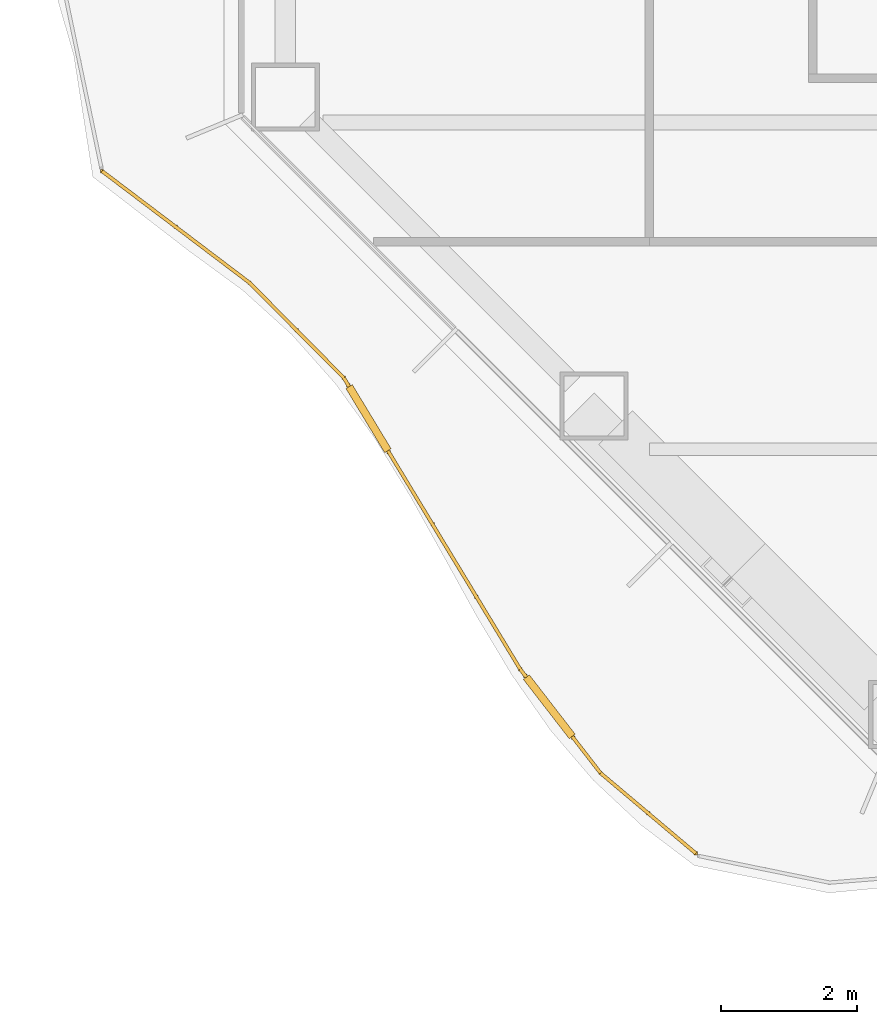
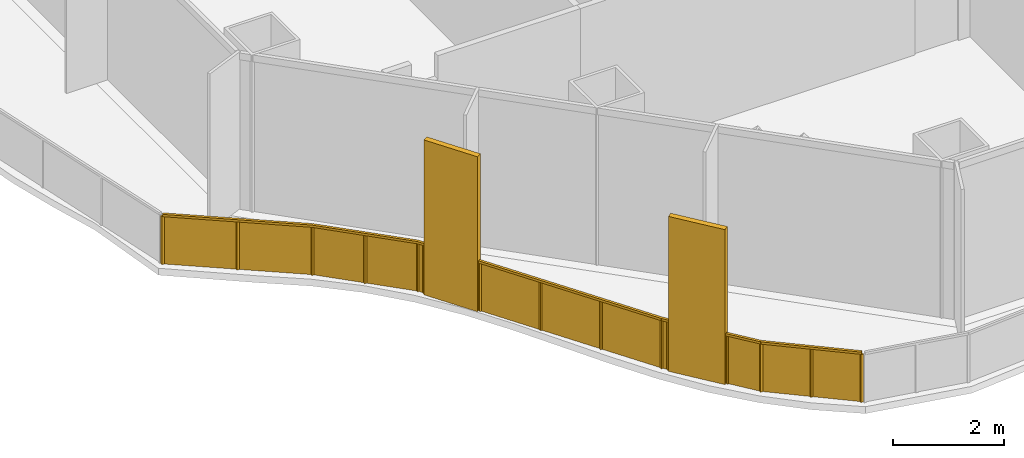
# One storey, part 14 of 20: 1 railing.
"""IFC4 building model written with IfcOpenShell, lengths in metres."""

from ifc_helpers import new_model, si_unit, direction, frame, origin, origin_2d, place, context, subcontext, project, spatial, polyline, rectangle, outline, extrude, material, type_object, element, save


model = new_model("IFC4")

# Units and contexts
model_context = context("Model", 3, precision=1e-05, world=origin(), true_north=direction((0.0, 1.0)))
body_context = subcontext(model_context, "Body", "Model", "MODEL_VIEW")
ifc_project = project(units=[si_unit("LENGTHUNIT", "METRE"), si_unit("AREAUNIT", "SQUARE_METRE"), si_unit("VOLUMEUNIT", "CUBIC_METRE"), si_unit("PLANEANGLEUNIT", "RADIAN"), si_unit("MASSUNIT", "GRAM", prefix="KILO")], contexts=[model_context])

# Site, building, storey
site_placement = place(None, origin())
site = spatial("IfcSite", under=ifc_project, at=site_placement, CompositionType="ELEMENT")
building_placement = place(site_placement, origin())
building = spatial("IfcBuilding", under=site, at=building_placement, Name="Cairn Pilgrim Tower", CompositionType="ELEMENT")
storey_placement = place(building_placement, frame((0.0, 0.0, 61.800048828125)))
storey = spatial("IfcBuildingStorey", under=building, at=storey_placement, Name="L13", CompositionType="ELEMENT", Elevation=61.800048828125)

# Railing
ifc_material = material(Name="Bronze anodised aluminium rail, posts and fin screens with laminated glass infill", Category="aluminium")
railing_type = type_object("IfcRailingType", Name="BALCONY GUARD WITH FIN SCREENS", PredefinedType="GUARDRAIL", material=ifc_material)
railing_placement = place(storey_placement, frame((-30.5927734375, -15.113037109375, 0.0)))
element("IfcRailing", 1, at=railing_placement, inside=storey, type_object=railing_type, Name="Balcony guard BGF-7 with fin screens", PredefinedType="GUARDRAIL", context=body_context, shape_type="SweptSolid", body=[
    extrude(rectangle(XDim=0.050048828125, YDim=0.050048828125, at=origin_2d()), frame((0.0, 0.0, 1.0751953125), z_axis=(0.797297754548, -0.60358619152, 0.0), x_axis=(0.60358619152, 0.797297754548, 0.0)), (0.0, 0.0, 1.0), 2.718505859375),
    extrude(rectangle(XDim=0.050048828125, YDim=0.050048828125, at=origin_2d()), frame((2.16748046875, -1.640869140625, 1.0751953125), z_axis=(0.703998664386, -0.71020129579, 0.0), x_axis=(0.71020129579, 0.703998664386, 0.0)), (0.0, 0.0, 1.0), 1.968017578125),
    extrude(rectangle(XDim=1.10009765625, YDim=0.110107421875, at=origin_2d()), frame((3.91552734375, -3.637451171875, 0.0), z_axis=(0.0, 0.0, 1.0), x_axis=(0.517907951605, -0.855436352784, 0.0)), (0.0, 0.0, 1.0), 3.39990234375),
    extrude(rectangle(XDim=0.050048828125, YDim=0.050048828125, at=origin_2d()), frame((3.552978515625, -3.03857421875, 1.0751953125), z_axis=(0.517907951605, -0.855436352784, 0.0), x_axis=(0.855436352784, 0.517907951605, 0.0)), (0.0, 0.0, 1.0), 0.150146484375),
    extrude(rectangle(XDim=0.050048828125, YDim=0.050048828125, at=origin_2d()), frame((4.200439453125, -4.10791015625, 1.0751953125), z_axis=(0.517907951605, -0.855436352784, 0.0), x_axis=(0.855436352784, 0.517907951605, 0.0)), (0.0, 0.0, 1.0), 3.75244140625),
    extrude(rectangle(XDim=1.10009765625, YDim=0.110107421875, at=origin_2d()), frame((6.572021484375, -7.87158203125, 0.0), z_axis=(0.0, 0.0, 1.0), x_axis=(0.611810946202, -0.791004024078, 0.0)), (0.0, 0.0, 1.0), 3.39990234375),
    extrude(rectangle(XDim=0.050048828125, YDim=0.050048828125, at=origin_2d()), frame((6.143798828125, -7.31787109375, 1.0751953125), z_axis=(0.611810946202, -0.791004024078, 0.0), x_axis=(0.791004024078, 0.611810946202, 0.0)), (0.0, 0.0, 1.0), 0.14990234375),
    extrude(rectangle(XDim=0.050048828125, YDim=0.050048828125, at=origin_2d()), frame((6.908447265625, -8.306640625, 1.0751953125), z_axis=(0.611810946202, -0.791004024078, 0.0), x_axis=(0.791004024078, 0.611810946202, 0.0)), (0.0, 0.0, 1.0), 0.6806640625),
    extrude(rectangle(XDim=0.050048828125, YDim=0.050048828125, at=origin_2d()), frame((7.324951171875, -8.844970703125, 1.0751953125), z_axis=(0.764517172895, -0.644603360485, 0.0), x_axis=(0.644603360485, 0.764517172895, 0.0)), (0.0, 0.0, 1.0), 1.832275390625),
    extrude(rectangle(XDim=0.050048828125, YDim=0.050048828125, at=origin_2d()), origin(), (0.0, 0.0, 1.0), 1.050048828125),
    extrude(rectangle(XDim=0.050048828125, YDim=0.050048828125, at=origin_2d()), frame((1.083740234375, -0.820556640625, 0.0)), (0.0, 0.0, 1.0), 1.050048828125),
    extrude(rectangle(XDim=0.050048828125, YDim=0.050048828125, at=origin_2d()), frame((2.16748046875, -1.640869140625, 0.0)), (0.0, 0.0, 1.0), 1.050048828125),
    extrude(rectangle(XDim=0.050048828125, YDim=0.050048828125, at=origin_2d()), frame((2.8603515625, -2.33984375, 0.0)), (0.0, 0.0, 1.0), 1.050048828125),
    extrude(rectangle(XDim=0.050048828125, YDim=0.050048828125, at=origin_2d()), frame((3.552978515625, -3.03857421875, 0.0)), (0.0, 0.0, 1.0), 1.050048828125),
    extrude(rectangle(XDim=0.050048828125, YDim=0.050048828125, at=origin_2d()), frame((3.61767578125, -3.1455078125, 0.0)), (0.0, 0.0, 1.0), 1.050048828125),
    extrude(rectangle(XDim=0.050048828125, YDim=0.050048828125, at=origin_2d()), frame((4.21337890625, -4.12939453125, 0.0)), (0.0, 0.0, 1.0), 1.050048828125),
    extrude(rectangle(XDim=0.050048828125, YDim=0.050048828125, at=origin_2d()), frame((4.85693359375, -5.192138671875, 0.0)), (0.0, 0.0, 1.0), 1.050048828125),
    extrude(rectangle(XDim=0.050048828125, YDim=0.050048828125, at=origin_2d()), frame((5.500244140625, -6.255126953125, 0.0)), (0.0, 0.0, 1.0), 1.050048828125),
    extrude(rectangle(XDim=0.050048828125, YDim=0.050048828125, at=origin_2d()), frame((6.143798828125, -7.31787109375, 0.0)), (0.0, 0.0, 1.0), 1.050048828125),
    extrude(rectangle(XDim=0.050048828125, YDim=0.050048828125, at=origin_2d()), frame((6.22021484375, -7.416748046875, 0.0)), (0.0, 0.0, 1.0), 1.050048828125),
    extrude(rectangle(XDim=0.050048828125, YDim=0.050048828125, at=origin_2d()), frame((6.923828125, -8.326416015625, 0.0)), (0.0, 0.0, 1.0), 1.050048828125),
    extrude(rectangle(XDim=0.050048828125, YDim=0.050048828125, at=origin_2d()), frame((7.324951171875, -8.844970703125, 0.0)), (0.0, 0.0, 1.0), 1.050048828125),
    extrude(rectangle(XDim=0.050048828125, YDim=0.050048828125, at=origin_2d()), frame((8.025390625, -9.435546875, 0.0)), (0.0, 0.0, 1.0), 1.050048828125),
    extrude(rectangle(XDim=0.050048828125, YDim=0.050048828125, at=origin_2d()), frame((8.725830078125, -10.026123046875, 0.0)), (0.0, 0.0, 1.0), 1.050048828125),
    extrude(outline(polyline([(0.02490234375, 0.0), (1.334228515625, 0.0), (1.334228515625, 1.050048828125), (0.02490234375, 1.050048828125), (0.02490234375, 0.0)])), frame((0.003662109375, 0.0048828125, 0.0), z_axis=(-0.60358619152, -0.797297754548, 0.0), x_axis=(0.797297754548, -0.60358619152, 0.0)), (0.0, 0.0, 1.0), 0.011962890625),
    extrude(outline(polyline([(0.02490234375, 0.0), (1.334228515625, 0.0), (1.334228515625, 1.050048828125), (0.02490234375, 1.050048828125), (0.02490234375, 0.0)])), frame((1.08740234375, -0.815673828125, 0.0), z_axis=(-0.60358619152, -0.797297754548, 0.0), x_axis=(0.797297754548, -0.60358619152, 0.0)), (0.0, 0.0, 1.0), 0.011962890625),
    extrude(outline(polyline([(0.02490234375, 0.0), (0.958984375, 0.0), (0.958984375, 1.050048828125), (0.02490234375, 1.050048828125), (0.02490234375, 0.0)])), frame((2.171630859375, -1.63671875, 0.0), z_axis=(-0.71020129579, -0.703998664386, 0.0), x_axis=(0.703998664386, -0.71020129579, 0.0)), (0.0, 0.0, 1.0), 0.011962890625),
    extrude(outline(polyline([(0.02490234375, 0.0), (0.958984375, 0.0), (0.958984375, 1.050048828125), (0.02490234375, 1.050048828125), (0.02490234375, 0.0)])), frame((2.864501953125, -2.33544921875, 0.0), z_axis=(-0.71020129579, -0.703998664386, 0.0), x_axis=(0.703998664386, -0.71020129579, 0.0)), (0.0, 0.0, 1.0), 0.011962890625),
    extrude(outline(polyline([(0.02490234375, 0.0), (0.10009765625, 0.0), (0.10009765625, 1.050048828125), (0.02490234375, 1.050048828125), (0.02490234375, 0.0)])), frame((3.55810546875, -3.035400390625, 0.0), z_axis=(-0.855436352784, -0.517907951605, 0.0), x_axis=(0.517907951605, -0.855436352784, 0.0)), (0.0, 0.0, 1.0), 0.011962890625),
    extrude(outline(polyline([(0.02490234375, 0.0), (1.217529296875, 0.0), (1.217529296875, 1.050048828125), (0.02490234375, 1.050048828125), (0.02490234375, 0.0)])), frame((4.218505859375, -4.126220703125, 0.0), z_axis=(-0.855436352784, -0.517907951605, 0.0), x_axis=(0.517907951605, -0.855436352784, 0.0)), (0.0, 0.0, 1.0), 0.011962890625),
    extrude(outline(polyline([(0.02490234375, 0.0), (1.217529296875, 0.0), (1.217529296875, 1.050048828125), (0.02490234375, 1.050048828125), (0.02490234375, 0.0)])), frame((4.862060546875, -5.189208984375, 0.0), z_axis=(-0.855436352784, -0.517907951605, 0.0), x_axis=(0.517907951605, -0.855436352784, 0.0)), (0.0, 0.0, 1.0), 0.011962890625),
    extrude(outline(polyline([(0.02490234375, 0.0), (1.217529296875, 0.0), (1.217529296875, 1.050048828125), (0.02490234375, 1.050048828125), (0.02490234375, 0.0)])), frame((5.50537109375, -6.251953125, 0.0), z_axis=(-0.855436352784, -0.517907951605, 0.0), x_axis=(0.517907951605, -0.855436352784, 0.0)), (0.0, 0.0, 1.0), 0.011962890625),
    extrude(outline(polyline([(0.02490234375, 0.0), (0.099853515625, 0.0), (0.099853515625, 1.050048828125), (0.02490234375, 1.050048828125), (0.02490234375, 0.0)])), frame((6.1484375, -7.314208984375, 0.0), z_axis=(-0.791004024078, -0.611810946202, 0.0), x_axis=(0.611810946202, -0.791004024078, 0.0)), (0.0, 0.0, 1.0), 0.011962890625),
    extrude(outline(polyline([(0.02490234375, 0.0), (0.630615234375, 0.0), (0.630615234375, 1.050048828125), (0.02490234375, 1.050048828125), (0.02490234375, 0.0)])), frame((6.928466796875, -8.32275390625, 0.0), z_axis=(-0.791004024078, -0.611810946202, 0.0), x_axis=(0.611810946202, -0.791004024078, 0.0)), (0.0, 0.0, 1.0), 0.011962890625),
    extrude(outline(polyline([(0.02490234375, 0.0), (0.89111328125, 0.0), (0.89111328125, 1.050048828125), (0.02490234375, 1.050048828125), (0.02490234375, 0.0)])), frame((7.328857421875, -8.84033203125, 0.0), z_axis=(-0.644603360485, -0.764517172895, 0.0), x_axis=(0.764517172895, -0.644603360485, 0.0)), (0.0, 0.0, 1.0), 0.011962890625),
    extrude(outline(polyline([(0.02490234375, 0.0), (0.89111328125, 0.0), (0.89111328125, 1.050048828125), (0.02490234375, 1.050048828125), (0.02490234375, 0.0)])), frame((8.029296875, -9.430908203125, 0.0), z_axis=(-0.644603360485, -0.764517172895, 0.0), x_axis=(0.764517172895, -0.644603360485, 0.0)), (0.0, 0.0, 1.0), 0.011962890625),
])

save(model, "model.ifc")
